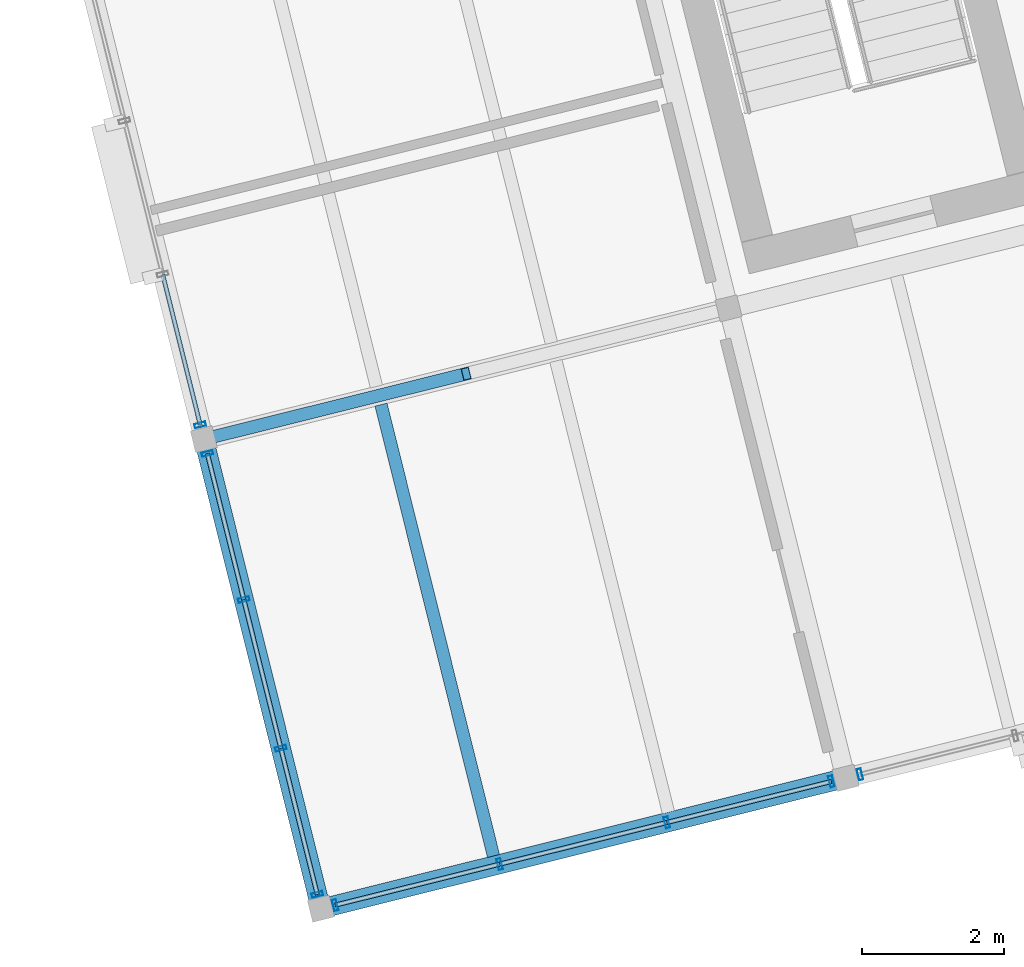
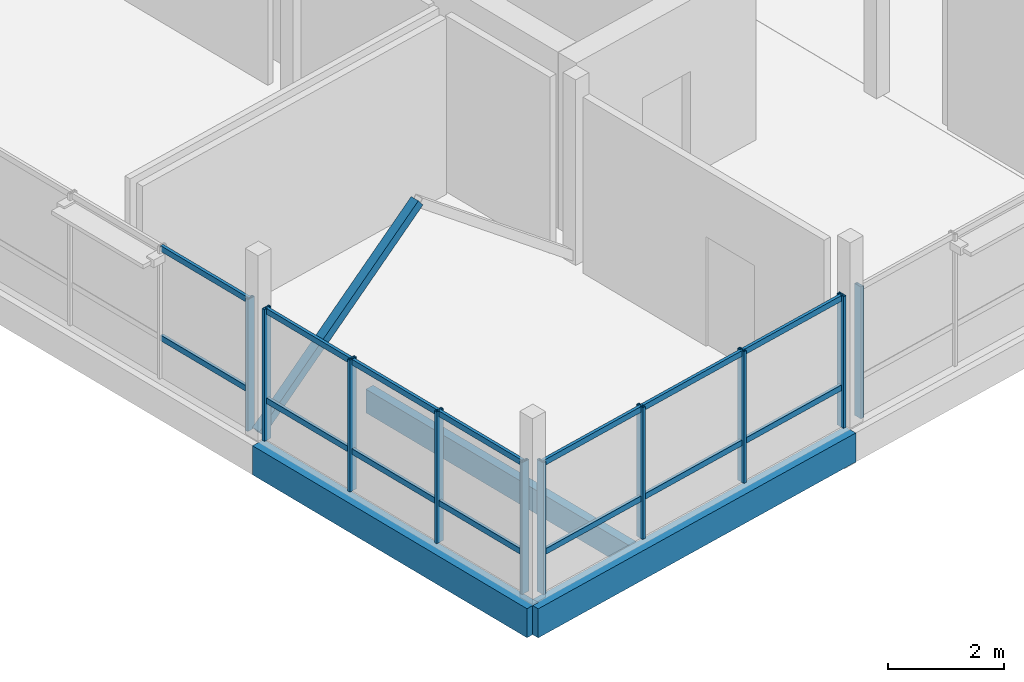
# One storey, part 2 of 25: 25 members, 3 beams, 4 elements without a shape of their own.
"""IFC4 building model written with IfcOpenShell, lengths in metres."""

from ifc_helpers import new_model, si_unit, direction, frame, origin, origin_2d, place, context, subcontext, project, spatial, rectangle, hollow_rectangle, extrude, material, layer, layer_set, material_profile, profile_set, type_object, element, aggregate, save


model = new_model("IFC4")

# Units and contexts
model_context = context("Model", 3, precision=1e-05, world=origin(), true_north=direction((0.0, 1.0)))
body_context = subcontext(model_context, "Body", "Model", "MODEL_VIEW")
ifc_project = project(units=[si_unit("LENGTHUNIT", "METRE"), si_unit("AREAUNIT", "SQUARE_METRE"), si_unit("VOLUMEUNIT", "CUBIC_METRE"), si_unit("PLANEANGLEUNIT", "RADIAN"), si_unit("MASSUNIT", "GRAM", prefix="KILO")], contexts=[model_context])

# Site, building, storey
site_placement = place(None, origin())
site = spatial("IfcSite", under=ifc_project, at=site_placement, CompositionType="ELEMENT")
building_placement = place(site_placement, origin())
building = spatial("IfcBuilding", under=site, at=building_placement, Name="Meriwether Solvik Hall", CompositionType="ELEMENT")
storey_placement = place(building_placement, frame((0.0, 0.0, 53.39990234375)))
storey = spatial("IfcBuildingStorey", under=building, at=storey_placement, Name="L13", CompositionType="ELEMENT", Elevation=53.39990234375)

# Beams
ifc_material_1 = material(Name="Glulam Douglas-Fir 24F-V8 GL28h", Category="wood")
ifc_material_profile_1 = material_profile(ifc_material_1, rectangle(XDim=0.27294921875, YDim=0.610107421875, at=origin_2d()), Name="GLB-273X610")
ifc_profile_set_1 = profile_set([ifc_material_profile_1], Name="Glulam Douglas-Fir 24F-V8 GL28h")
beam_type_1 = type_object("IfcBeamType", Name="BM-GL-273X610", PredefinedType="SPANDREL", material=ifc_profile_set_1)
beam_1_placement = place(storey_placement, frame((68.60009765625, 41.199951171875, -0.48486328125), z_axis=(0.970295366785, 0.241923337436, 0.0), x_axis=(-0.241923337436, 0.970295366785, 0.0)))
element("IfcBeam", 1, at=beam_1_placement, inside=storey, type_object=beam_type_1, Name="Tower Girder TA:T1-T2 (L13)", PredefinedType="SPANDREL", context=body_context, shape_type="SweptSolid", body=[
    extrude(rectangle(XDim=0.27294921875, YDim=0.610107421875, at=origin_2d()), origin(), (0.0, 0.0, 1.0), 7.60009765625),
])
beam_2_placement = place(storey_placement, frame((68.60009765625, 41.199951171875, -0.48486328125), z_axis=(-0.241944251278, 0.970290152106, 0.0), x_axis=(-0.970290152106, -0.241944251278, 0.0)))
element("IfcBeam", 2, at=beam_2_placement, inside=storey, type_object=beam_type_1, Name="Tower Girder T1:TA-TB (L13)", PredefinedType="SPANDREL", context=body_context, shape_type="SweptSolid", body=[
    extrude(rectangle(XDim=0.27294921875, YDim=0.610107421875, at=origin_2d()), origin(), (0.0, 0.0, 1.0), 6.80029296875),
])

# Curtain wall, members
ifc_material_2 = material(Name="Thermally Broken Anodised Aluminium 6063-T6 and Low-E Glass", Category="aluminium")
ifc_layer_1 = layer(ifc_material_2, 0.179931640625)
ifc_layer_set_1 = layer_set([ifc_layer_1], Name="Thermally Broken Anodised Aluminium 6063-T6 and Low-E Glass")
curtain_wall_type_1 = type_object("IfcCurtainWallType", Name="CW-UNIT-D", PredefinedType="USERDEFINED", material=ifc_layer_set_1)
curtain_wall_1_placement = place(storey_placement, origin())
curtain_wall_1 = element("IfcCurtainWall", 3, at=curtain_wall_1_placement, inside=storey, type_object=curtain_wall_type_1, Name="Curtain Wall E0_B0 (L13)", ObjectType="UNITISED CURTAIN WALL", PredefinedType="USERDEFINED")
ifc_material_3 = material(Name="Anodised Aluminium 6063-T6", Category="aluminium")
ifc_material_profile_2 = material_profile(ifc_material_3, hollow_rectangle(XDim=0.06005859375, YDim=0.159912109375, WallThickness=0.00390625, at=origin_2d()), Name="CWM-60X160")
ifc_profile_set_2 = profile_set([ifc_material_profile_2], Name="Anodised Aluminium 6063-T6")
member_type_1 = type_object("IfcMemberType", Name="CW-MUL-60X160", PredefinedType="MULLION", material=ifc_profile_set_2)
member_1_placement = place(storey_placement, frame((75.77294921875, 42.988525390625, 0.0), z_axis=(0.0, 0.0, 1.0), x_axis=(-0.970295720361, -0.241921919325, 0.0)))
member_1 = element("IfcMember", 4, at=member_1_placement, type_object=member_type_1, Name="Curtain Wall Mullion 1", PredefinedType="MULLION", context=body_context, shape_type="SweptSolid", body=[
    extrude(hollow_rectangle(XDim=0.06005859375, YDim=0.159912109375, WallThickness=0.00390625, at=origin_2d()), origin(), (0.0, 0.0, 1.0), 2.77001953125),
])
member_2_placement = place(storey_placement, frame((73.46142578125, 42.412109375, 0.0), z_axis=(0.0, 0.0, 1.0), x_axis=(-0.970295720361, -0.241921919325, 0.0)))
member_2 = element("IfcMember", 5, at=member_2_placement, type_object=member_type_1, Name="Curtain Wall Mullion 2", PredefinedType="MULLION", context=body_context, shape_type="SweptSolid", body=[
    extrude(hollow_rectangle(XDim=0.06005859375, YDim=0.159912109375, WallThickness=0.00390625, at=origin_2d()), origin(), (0.0, 0.0, 1.0), 2.77001953125),
])
member_3_placement = place(storey_placement, frame((71.11279296875, 41.82666015625, 0.0), z_axis=(0.0, 0.0, 1.0), x_axis=(-0.970295720361, -0.241921919325, 0.0)))
member_3 = element("IfcMember", 6, at=member_3_placement, type_object=member_type_1, Name="Curtain Wall Mullion 3", PredefinedType="MULLION", context=body_context, shape_type="SweptSolid", body=[
    extrude(hollow_rectangle(XDim=0.06005859375, YDim=0.159912109375, WallThickness=0.00390625, at=origin_2d()), origin(), (0.0, 0.0, 1.0), 2.77001953125),
])
member_4_placement = place(storey_placement, frame((68.80126953125, 41.250244140625, 0.0), z_axis=(0.0, 0.0, 1.0), x_axis=(-0.970295720361, -0.241921919325, 0.0)))
member_4 = element("IfcMember", 7, at=member_4_placement, type_object=member_type_1, Name="Curtain Wall Mullion 4", PredefinedType="MULLION", context=body_context, shape_type="SweptSolid", body=[
    extrude(hollow_rectangle(XDim=0.06005859375, YDim=0.159912109375, WallThickness=0.00390625, at=origin_2d()), origin(), (0.0, 0.0, 1.0), 2.77001953125),
])

# Curtain wall, member
ifc_material_4 = material(Name="Thermally Broken Anodised Aluminium 6063-T6 and Low-E Glass", Category="aluminium")
ifc_layer_2 = layer(ifc_material_4, 0.179931640625)
ifc_layer_set_2 = layer_set([ifc_layer_2], Name="Thermally Broken Anodised Aluminium 6063-T6 and Low-E Glass")
curtain_wall_type_2 = type_object("IfcCurtainWallType", Name="CW-UNIT-E", PredefinedType="USERDEFINED", material=ifc_layer_set_2)
curtain_wall_2_placement = place(storey_placement, origin())
curtain_wall_2 = element("IfcCurtainWall", 8, at=curtain_wall_2_placement, inside=storey, type_object=curtain_wall_type_2, Name="Curtain Wall E0_B1 (L13)", ObjectType="UNITISED CURTAIN WALL", PredefinedType="USERDEFINED")
member_5_placement = place(storey_placement, frame((76.175537109375, 43.0888671875, 0.0), z_axis=(0.0, 0.0, 1.0), x_axis=(-0.970295730764, -0.241921877598, 0.0)))
member_5 = element("IfcMember", 9, at=member_5_placement, type_object=member_type_1, Name="Curtain Wall Mullion 4", PredefinedType="MULLION", context=body_context, shape_type="SweptSolid", body=[
    extrude(hollow_rectangle(XDim=0.06005859375, YDim=0.159912109375, WallThickness=0.00390625, at=origin_2d()), origin(), (0.0, 0.0, 1.0), 2.77001953125),
])
aggregate(curtain_wall_2, [member_5])

# Curtain wall, members
ifc_material_5 = material(Name="Thermally Broken Anodised Aluminium 6063-T6 and Low-E Glass", Category="aluminium")
ifc_layer_3 = layer(ifc_material_5, 0.179931640625)
ifc_layer_set_3 = layer_set([ifc_layer_3], Name="Thermally Broken Anodised Aluminium 6063-T6 and Low-E Glass")
curtain_wall_type_3 = type_object("IfcCurtainWallType", Name="CW-UNIT-G", PredefinedType="USERDEFINED", material=ifc_layer_set_3)
curtain_wall_3_placement = place(storey_placement, origin())
curtain_wall_3 = element("IfcCurtainWall", 10, at=curtain_wall_3_placement, inside=storey, type_object=curtain_wall_type_3, Name="Curtain Wall E3_B0 (L13)", ObjectType="UNITISED CURTAIN WALL", PredefinedType="USERDEFINED")
member_6_placement = place(storey_placement, frame((68.5498046875, 41.4013671875, 0.0), z_axis=(0.0, 0.0, 1.0), x_axis=(-0.241921830705, 0.970295742456, 0.0)))
member_6 = element("IfcMember", 11, at=member_6_placement, type_object=member_type_1, Name="Curtain Wall Mullion 1", PredefinedType="MULLION", context=body_context, shape_type="SweptSolid", body=[
    extrude(hollow_rectangle(XDim=0.06005859375, YDim=0.159912109375, WallThickness=0.00390625, at=origin_2d()), origin(), (0.0, 0.0, 1.0), 2.77001953125),
])
member_7_placement = place(storey_placement, frame((68.0380859375, 43.4541015625, 0.0), z_axis=(0.0, 0.0, 1.0), x_axis=(-0.241921830705, 0.970295742456, 0.0)))
member_7 = element("IfcMember", 12, at=member_7_placement, type_object=member_type_1, Name="Curtain Wall Mullion 2", PredefinedType="MULLION", context=body_context, shape_type="SweptSolid", body=[
    extrude(hollow_rectangle(XDim=0.06005859375, YDim=0.159912109375, WallThickness=0.00390625, at=origin_2d()), origin(), (0.0, 0.0, 1.0), 2.77001953125),
])
member_8_placement = place(storey_placement, frame((67.516845703125, 45.5439453125, 0.0), z_axis=(0.0, 0.0, 1.0), x_axis=(-0.241921830705, 0.970295742456, 0.0)))
member_8 = element("IfcMember", 13, at=member_8_placement, type_object=member_type_1, Name="Curtain Wall Mullion 3", PredefinedType="MULLION", context=body_context, shape_type="SweptSolid", body=[
    extrude(hollow_rectangle(XDim=0.06005859375, YDim=0.159912109375, WallThickness=0.00390625, at=origin_2d()), origin(), (0.0, 0.0, 1.0), 2.77001953125),
])
member_9_placement = place(storey_placement, frame((67.005126953125, 47.5966796875, 0.0), z_axis=(0.0, 0.0, 1.0), x_axis=(-0.241921830705, 0.970295742456, 0.0)))
member_9 = element("IfcMember", 14, at=member_9_placement, type_object=member_type_1, Name="Curtain Wall Mullion 4", PredefinedType="MULLION", context=body_context, shape_type="SweptSolid", body=[
    extrude(hollow_rectangle(XDim=0.06005859375, YDim=0.159912109375, WallThickness=0.00390625, at=origin_2d()), origin(), (0.0, 0.0, 1.0), 2.77001953125),
])

# Curtain wall, member
ifc_material_6 = material(Name="Thermally Broken Anodised Aluminium 6063-T6 and Low-E Glass", Category="aluminium")
ifc_layer_4 = layer(ifc_material_6, 0.179931640625)
ifc_layer_set_4 = layer_set([ifc_layer_4], Name="Thermally Broken Anodised Aluminium 6063-T6 and Low-E Glass")
curtain_wall_type_4 = type_object("IfcCurtainWallType", Name="CW-UNIT-A", PredefinedType="USERDEFINED", material=ifc_layer_set_4)
curtain_wall_4_placement = place(storey_placement, origin())
curtain_wall_4 = element("IfcCurtainWall", 15, at=curtain_wall_4_placement, inside=storey, type_object=curtain_wall_type_4, Name="Curtain Wall E3_B1 (L13)", ObjectType="UNITISED CURTAIN WALL", PredefinedType="USERDEFINED")
member_10_placement = place(storey_placement, frame((66.90478515625, 47.999267578125, 0.0), z_axis=(0.0, 0.0, 1.0), x_axis=(-0.241921784185, 0.970295754055, 0.0)))
member_10 = element("IfcMember", 16, at=member_10_placement, type_object=member_type_1, Name="Curtain Wall Mullion 1", PredefinedType="MULLION", context=body_context, shape_type="SweptSolid", body=[
    extrude(hollow_rectangle(XDim=0.06005859375, YDim=0.159912109375, WallThickness=0.00390625, at=origin_2d()), origin(), (0.0, 0.0, 1.0), 2.77001953125),
])

# Member
ifc_material_7 = material(Name="Anodised Aluminium 6063-T6", Category="aluminium")
ifc_material_profile_3 = material_profile(ifc_material_7, hollow_rectangle(XDim=0.06005859375, YDim=0.1201171875, WallThickness=0.00390625, at=origin_2d()), Name="CWT-60X120")
ifc_profile_set_3 = profile_set([ifc_material_profile_3], Name="Anodised Aluminium 6063-T6")
member_type_2 = type_object("IfcMemberType", Name="CW-TRN-60X120", PredefinedType="USERDEFINED", material=ifc_profile_set_3)
member_11_placement = place(storey_placement, frame((75.77294921875, 42.988525390625, 0.8310546875), z_axis=(-0.970287006133, -0.241956867499, 0.0), x_axis=(0.241956867499, -0.970287006133, 0.0)))
member_11 = element("IfcMember", 17, at=member_11_placement, type_object=member_type_2, Name="Curtain Wall Transom 1-sill", ObjectType="TRANSOM", PredefinedType="USERDEFINED", context=body_context, shape_type="SweptSolid", body=[
    extrude(hollow_rectangle(XDim=0.06005859375, YDim=0.1201171875, WallThickness=0.00390625, at=origin_2d()), origin(), (0.0, 0.0, 1.0), 2.38232421875),
])

member_12_placement = place(storey_placement, frame((75.77294921875, 42.988525390625, 2.710205078125), z_axis=(-0.970287006133, -0.241956867499, 0.0), x_axis=(0.241956867499, -0.970287006133, 0.0)))
member_12 = element("IfcMember", 18, at=member_12_placement, type_object=member_type_2, Name="Curtain Wall Transom 1-head", ObjectType="TRANSOM", PredefinedType="USERDEFINED", context=body_context, shape_type="SweptSolid", body=[
    extrude(hollow_rectangle(XDim=0.06005859375, YDim=0.1201171875, WallThickness=0.00390625, at=origin_2d()), origin(), (0.0, 0.0, 1.0), 2.38232421875),
])

member_13_placement = place(storey_placement, frame((73.46142578125, 42.412109375, 0.8310546875), z_axis=(-0.970308400941, -0.241871054621, 0.0), x_axis=(0.241871054621, -0.970308400941, 0.0)))
member_13 = element("IfcMember", 19, at=member_13_placement, type_object=member_type_2, Name="Curtain Wall Transom 2-sill", ObjectType="TRANSOM", PredefinedType="USERDEFINED", context=body_context, shape_type="SweptSolid", body=[
    extrude(hollow_rectangle(XDim=0.06005859375, YDim=0.1201171875, WallThickness=0.00390625, at=origin_2d()), origin(), (0.0, 0.0, 1.0), 2.42041015625),
])

member_14_placement = place(storey_placement, frame((73.46142578125, 42.412109375, 2.710205078125), z_axis=(-0.970308400941, -0.241871054621, 0.0), x_axis=(0.241871054621, -0.970308400941, 0.0)))
member_14 = element("IfcMember", 20, at=member_14_placement, type_object=member_type_2, Name="Curtain Wall Transom 2-head", ObjectType="TRANSOM", PredefinedType="USERDEFINED", context=body_context, shape_type="SweptSolid", body=[
    extrude(hollow_rectangle(XDim=0.06005859375, YDim=0.1201171875, WallThickness=0.00390625, at=origin_2d()), origin(), (0.0, 0.0, 1.0), 2.42041015625),
])

member_15_placement = place(storey_placement, frame((71.11279296875, 41.82666015625, 0.8310546875), z_axis=(-0.970287006133, -0.241956867499, 0.0), x_axis=(0.241956867499, -0.970287006133, 0.0)))
member_15 = element("IfcMember", 21, at=member_15_placement, type_object=member_type_2, Name="Curtain Wall Transom 3-sill", ObjectType="TRANSOM", PredefinedType="USERDEFINED", context=body_context, shape_type="SweptSolid", body=[
    extrude(hollow_rectangle(XDim=0.06005859375, YDim=0.1201171875, WallThickness=0.00390625, at=origin_2d()), origin(), (0.0, 0.0, 1.0), 2.38232421875),
])

member_16_placement = place(storey_placement, frame((71.11279296875, 41.82666015625, 2.710205078125), z_axis=(-0.970287006133, -0.241956867499, 0.0), x_axis=(0.241956867499, -0.970287006133, 0.0)))
member_16 = element("IfcMember", 22, at=member_16_placement, type_object=member_type_2, Name="Curtain Wall Transom 3-head", ObjectType="TRANSOM", PredefinedType="USERDEFINED", context=body_context, shape_type="SweptSolid", body=[
    extrude(hollow_rectangle(XDim=0.06005859375, YDim=0.1201171875, WallThickness=0.00390625, at=origin_2d()), origin(), (0.0, 0.0, 1.0), 2.38232421875),
])

aggregate(curtain_wall_1, [member_1, member_2, member_3, member_4, member_11, member_12, member_13, member_14, member_15, member_16])

member_17_placement = place(storey_placement, frame((68.5498046875, 41.4013671875, 0.8310546875), z_axis=(-0.24188388495, 0.970305202605, 0.0), x_axis=(-0.970305202605, -0.24188388495, 0.0)))
member_17 = element("IfcMember", 23, at=member_17_placement, type_object=member_type_2, Name="Curtain Wall Transom 1-sill", ObjectType="TRANSOM", PredefinedType="USERDEFINED", context=body_context, shape_type="SweptSolid", body=[
    extrude(hollow_rectangle(XDim=0.06005859375, YDim=0.1201171875, WallThickness=0.00390625, at=origin_2d()), origin(), (0.0, 0.0, 1.0), 2.115478515625),
])

member_18_placement = place(storey_placement, frame((68.5498046875, 41.4013671875, 2.710205078125), z_axis=(-0.24188388495, 0.970305202605, 0.0), x_axis=(-0.970305202605, -0.24188388495, 0.0)))
member_18 = element("IfcMember", 24, at=member_18_placement, type_object=member_type_2, Name="Curtain Wall Transom 1-head", ObjectType="TRANSOM", PredefinedType="USERDEFINED", context=body_context, shape_type="SweptSolid", body=[
    extrude(hollow_rectangle(XDim=0.06005859375, YDim=0.1201171875, WallThickness=0.00390625, at=origin_2d()), origin(), (0.0, 0.0, 1.0), 2.115478515625),
])

member_19_placement = place(storey_placement, frame((68.0380859375, 43.4541015625, 0.8310546875), z_axis=(-0.242002176772, 0.970275706404, 0.0), x_axis=(-0.970275706404, -0.242002176772, 0.0)))
member_19 = element("IfcMember", 25, at=member_19_placement, type_object=member_type_2, Name="Curtain Wall Transom 2-sill", ObjectType="TRANSOM", PredefinedType="USERDEFINED", context=body_context, shape_type="SweptSolid", body=[
    extrude(hollow_rectangle(XDim=0.06005859375, YDim=0.1201171875, WallThickness=0.00390625, at=origin_2d()), origin(), (0.0, 0.0, 1.0), 2.15380859375),
])

member_20_placement = place(storey_placement, frame((68.0380859375, 43.4541015625, 2.710205078125), z_axis=(-0.242002176772, 0.970275706404, 0.0), x_axis=(-0.970275706404, -0.242002176772, 0.0)))
member_20 = element("IfcMember", 26, at=member_20_placement, type_object=member_type_2, Name="Curtain Wall Transom 2-head", ObjectType="TRANSOM", PredefinedType="USERDEFINED", context=body_context, shape_type="SweptSolid", body=[
    extrude(hollow_rectangle(XDim=0.06005859375, YDim=0.1201171875, WallThickness=0.00390625, at=origin_2d()), origin(), (0.0, 0.0, 1.0), 2.15380859375),
])

member_21_placement = place(storey_placement, frame((67.516845703125, 45.5439453125, 0.8310546875), z_axis=(-0.24188388495, 0.970305202605, 0.0), x_axis=(-0.970305202605, -0.24188388495, 0.0)))
member_21 = element("IfcMember", 27, at=member_21_placement, type_object=member_type_2, Name="Curtain Wall Transom 3-sill", ObjectType="TRANSOM", PredefinedType="USERDEFINED", context=body_context, shape_type="SweptSolid", body=[
    extrude(hollow_rectangle(XDim=0.06005859375, YDim=0.1201171875, WallThickness=0.00390625, at=origin_2d()), origin(), (0.0, 0.0, 1.0), 2.115478515625),
])

member_22_placement = place(storey_placement, frame((67.516845703125, 45.5439453125, 2.710205078125), z_axis=(-0.24188388495, 0.970305202605, 0.0), x_axis=(-0.970305202605, -0.24188388495, 0.0)))
member_22 = element("IfcMember", 28, at=member_22_placement, type_object=member_type_2, Name="Curtain Wall Transom 3-head", ObjectType="TRANSOM", PredefinedType="USERDEFINED", context=body_context, shape_type="SweptSolid", body=[
    extrude(hollow_rectangle(XDim=0.06005859375, YDim=0.1201171875, WallThickness=0.00390625, at=origin_2d()), origin(), (0.0, 0.0, 1.0), 2.115478515625),
])

aggregate(curtain_wall_3, [member_6, member_7, member_8, member_9, member_17, member_18, member_19, member_20, member_21, member_22])

member_23_placement = place(storey_placement, frame((66.90478515625, 47.999267578125, 0.8310546875), z_axis=(-0.241956533808, 0.970287089344, 0.0), x_axis=(-0.970287089344, -0.241956533808, 0.0)))
member_23 = element("IfcMember", 29, at=member_23_placement, type_object=member_type_2, Name="Curtain Wall Transom 1-sill", ObjectType="TRANSOM", PredefinedType="USERDEFINED", context=body_context, shape_type="SweptSolid", body=[
    extrude(hollow_rectangle(XDim=0.06005859375, YDim=0.1201171875, WallThickness=0.00390625, at=origin_2d()), origin(), (0.0, 0.0, 1.0), 2.1826171875),
])

member_24_placement = place(storey_placement, frame((66.90478515625, 47.999267578125, 2.710205078125), z_axis=(-0.241956533808, 0.970287089344, 0.0), x_axis=(-0.970287089344, -0.241956533808, 0.0)))
member_24 = element("IfcMember", 30, at=member_24_placement, type_object=member_type_2, Name="Curtain Wall Transom 1-head", ObjectType="TRANSOM", PredefinedType="USERDEFINED", context=body_context, shape_type="SweptSolid", body=[
    extrude(hollow_rectangle(XDim=0.06005859375, YDim=0.1201171875, WallThickness=0.00390625, at=origin_2d()), origin(), (0.0, 0.0, 1.0), 2.1826171875),
])

aggregate(curtain_wall_4, [member_10, member_23, member_24])

# Beam
ifc_material_8 = material(Name="Glulam Douglas-Fir 24F-V8 GL28h", Category="wood")
ifc_material_profile_4 = material_profile(ifc_material_8, rectangle(XDim=0.175048828125, YDim=0.4951171875, at=origin_2d()), Name="GLJ-175X495")
ifc_profile_set_4 = profile_set([ifc_material_profile_4], Name="Glulam Douglas-Fir 24F-V8 GL28h")
beam_type_2 = type_object("IfcBeamType", Name="JST-GL-175X495", PredefinedType="JOIST", material=ifc_profile_set_4)
beam_3_placement = place(storey_placement, frame((71.026123046875, 41.9404296875, -0.427490234375), z_axis=(-0.241902854765, 0.970300473491, 0.0), x_axis=(-0.970300473491, -0.241902854765, 0.0)))
element("IfcBeam", 31, at=beam_3_placement, inside=storey, type_object=beam_type_2, Name="Glulam Floor Joist T1/TA-J1 (L13)", PredefinedType="JOIST", context=body_context, shape_type="SweptSolid", body=[
    extrude(rectangle(XDim=0.175048828125, YDim=0.4951171875, at=origin_2d()), origin(), (0.0, 0.0, 1.0), 6.536865234375),
])

# Member
ifc_material_9 = material(Name="Steel A500 Grade C", Category="steel")
ifc_material_profile_5 = material_profile(ifc_material_9, hollow_rectangle(XDim=0.177978515625, YDim=0.177978515625, WallThickness=0.009521484375, at=origin_2d()), Name="HSS178X178X9.5")
ifc_profile_set_5 = profile_set([ifc_material_profile_5], Name="Steel A500 Grade C")
member_type_3 = type_object("IfcMemberType", Name="MEM-BR-HSS178", PredefinedType="BRACE", material=ifc_profile_set_5)
member_25_placement = place(storey_placement, frame((66.954833984375, 47.798095703125, 0.050048828125), z_axis=(0.761083595687, 0.189729175512, 0.620285902093), x_axis=(-0.241885553952, 0.970304786544, 0.0)))
element("IfcMember", 32, at=member_25_placement, inside=storey, type_object=member_type_3, Name="Tower Chevron Brace L13-B1A", PredefinedType="BRACE", context=body_context, shape_type="SweptSolid", body=[
    extrude(hollow_rectangle(XDim=0.177978515625, YDim=0.177978515625, WallThickness=0.009521484375, at=origin_2d()), origin(), (0.0, 0.0, 1.0), 4.8447265625),
])

save(model, "model.ifc")
